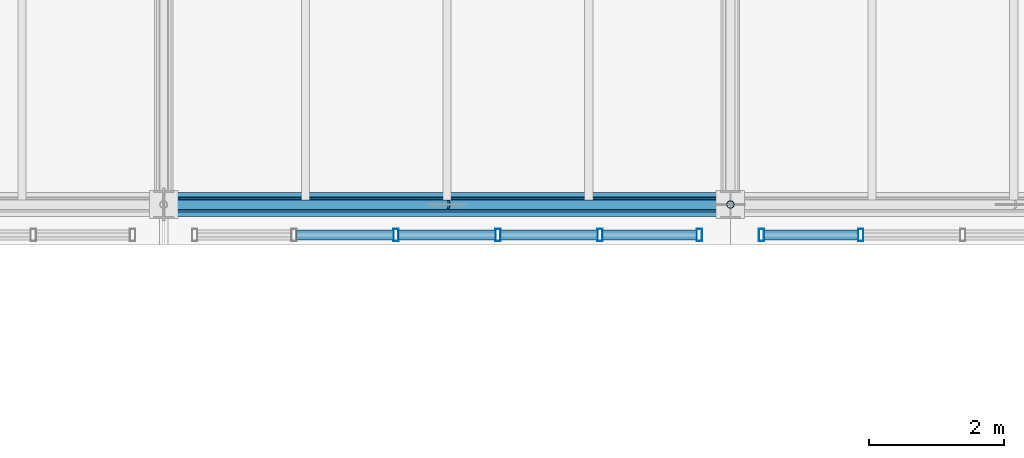
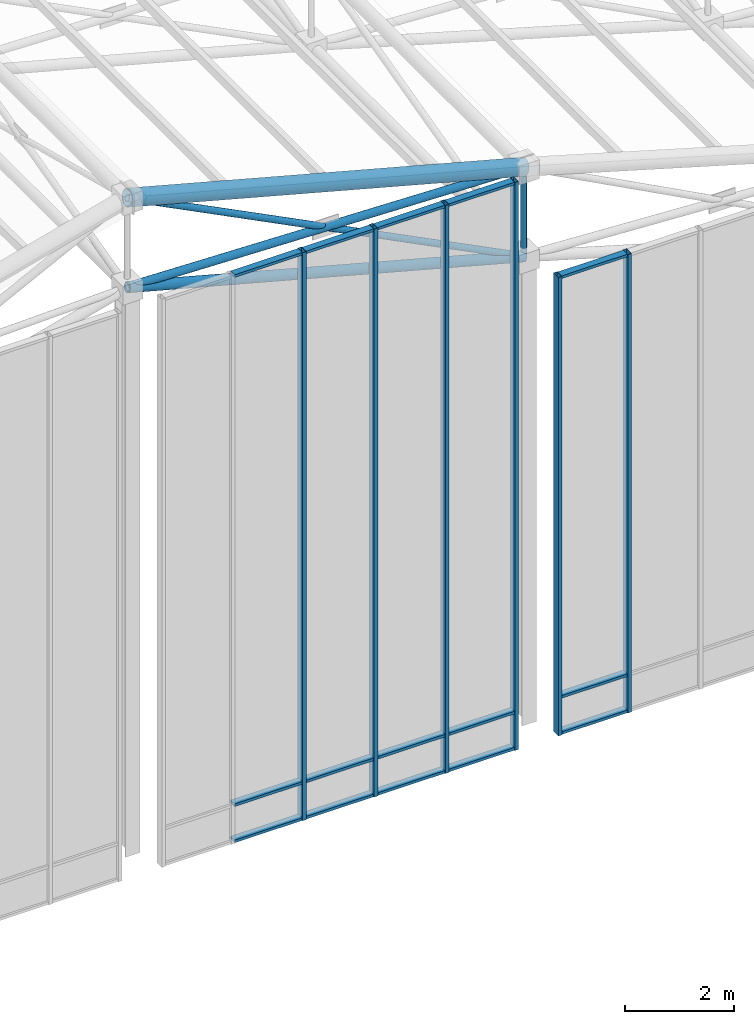
# One storey, part 21 of 144: 27 members, 2 elements without a shape of their own.
"""IFC4 building model written with IfcOpenShell, lengths in metres."""

from ifc_helpers import new_model, si_unit, direction, frame, origin, origin_2d, place, context, subcontext, project, spatial, hollow_rectangle, hollow_circle, extrude, material, layer, layer_set, material_profile, profile_set, type_object, element, aggregate, save


model = new_model("IFC4")

# Units and contexts
model_context = context("Model", 3, precision=1e-05, world=origin(), true_north=direction((0.0, 1.0)))
body_context = subcontext(model_context, "Body", "Model", "MODEL_VIEW")
ifc_project = project(units=[si_unit("LENGTHUNIT", "METRE"), si_unit("AREAUNIT", "SQUARE_METRE"), si_unit("VOLUMEUNIT", "CUBIC_METRE"), si_unit("PLANEANGLEUNIT", "RADIAN"), si_unit("MASSUNIT", "GRAM", prefix="KILO")], contexts=[model_context])

# Site, building, storey
site_placement = place(None, origin())
site = spatial("IfcSite", under=ifc_project, at=site_placement, CompositionType="ELEMENT")
building_placement = place(site_placement, origin())
building = spatial("IfcBuilding", under=site, at=building_placement, Name="Zayran Congress Hotel", CompositionType="ELEMENT")
storey_placement = place(building_placement, frame((0.0, 0.0, 19.199951171875)))
storey = spatial("IfcBuildingStorey", under=building, at=storey_placement, Name="L04", CompositionType="ELEMENT", Elevation=19.199951171875)

# Members
ifc_material_1 = material(Name="Steel S355", Category="steel")
ifc_material_profile_1 = material_profile(ifc_material_1, hollow_circle(Radius=0.177734375, WallThickness=0.01611328125, at=origin_2d()), Name="CHS 355.6x16")
ifc_profile_set_1 = profile_set([ifc_material_profile_1], Name="Steel S355")
member_type_1 = type_object("IfcMemberType", Name="TP-SF-TC1", PredefinedType="CHORD", material=ifc_profile_set_1)
member_1_placement = place(storey_placement, frame((50.39990234375, 68.199951171875, 14.60205078125), z_axis=(0.96594917914, 0.0, -0.258731875344), x_axis=(0.0, 1.0, 0.0)))
element("IfcMember", 1, at=member_1_placement, inside=storey, type_object=member_type_1, Name="Space Frame Top Chord X 272", PredefinedType="CHORD", context=body_context, shape_type="SweptSolid", body=[
    extrude(hollow_circle(Radius=0.177734375, WallThickness=0.01611328125, at=origin_2d()), origin(), (0.0, 0.0, 1.0), 8.6962890625),
])
ifc_material_profile_2 = material_profile(ifc_material_1, hollow_circle(Radius=0.109619140625, WallThickness=0.010009765625, at=origin_2d()), Name="CHS 219.1x10")
ifc_profile_set_2 = profile_set([ifc_material_profile_2], Name="Steel S355")
member_type_2 = type_object("IfcMemberType", Name="TP-SF-BC1", PredefinedType="CHORD", material=ifc_profile_set_2)
member_2_placement = place(storey_placement, frame((50.39990234375, 68.199951171875, 12.60009765625), z_axis=(0.96594917914, 0.0, -0.258731875344), x_axis=(0.0, 1.0, 0.0)))
element("IfcMember", 2, at=member_2_placement, inside=storey, type_object=member_type_2, Name="Space Frame Bottom Chord X 273", PredefinedType="CHORD", context=body_context, shape_type="SweptSolid", body=[
    extrude(hollow_circle(Radius=0.109619140625, WallThickness=0.010009765625, at=origin_2d()), origin(), (0.0, 0.0, 1.0), 8.6962890625),
])
ifc_material_profile_3 = material_profile(ifc_material_1, hollow_circle(Radius=0.084228515625, WallThickness=0.008056640625, at=origin_2d()), Name="CHS 168.3x8")
ifc_profile_set_3 = profile_set([ifc_material_profile_3], Name="Steel S355")
member_type_3 = type_object("IfcMemberType", Name="TP-SF-DG1", PredefinedType="BRACE", material=ifc_profile_set_3)
member_3_placement = place(storey_placement, frame((50.39990234375, 68.199951171875, 12.60009765625), z_axis=(0.99956430768, 0.0, -0.029516009434), x_axis=(0.0, 1.0, 0.0)))
element("IfcMember", 3, at=member_3_placement, inside=storey, type_object=member_type_3, Name="Space Frame Web Diagonal X 274", PredefinedType="BRACE", context=body_context, shape_type="SweptSolid", body=[
    extrude(hollow_circle(Radius=0.084228515625, WallThickness=0.008056640625, at=origin_2d()), origin(), (0.0, 0.0, 1.0), 8.40380859375),
])
ifc_material_profile_4 = material_profile(ifc_material_1, hollow_circle(Radius=0.06982421875, WallThickness=0.00634765625, at=origin_2d()), Name="CHS 139.7x6.3")
ifc_profile_set_4 = profile_set([ifc_material_profile_4], Name="Steel S355")
member_type_4 = type_object("IfcMemberType", Name="TP-SF-DG2", PredefinedType="BRACE", material=ifc_profile_set_4)
for number, where, z_axis, x_axis, name in (
    (4, (50.39990234375, 68.199951171875, 14.60205078125), (0.892220848392, 0.0, -0.451599333142), (0.0, 1.0, 0.0), "Space Frame Counter Diagonal X Upper 275"),
    (5, (54.61328125, 68.199951171875, 12.46923828125), (0.892220848392, 0.0, -0.451599333142), (0.0, 1.0, 0.0), "Space Frame Counter Diagonal X Lower 42"),
):
    element("IfcMember", number, at=place(storey_placement, frame(where, z_axis=z_axis, x_axis=x_axis)), inside=storey, type_object=member_type_4, Name=name, PredefinedType="BRACE", context=body_context, shape_type="SweptSolid", body=[
        extrude(hollow_circle(Radius=0.06982421875, WallThickness=0.00634765625, at=origin_2d()), origin(), (0.0, 0.0, 1.0), 4.692626953125),
    ])
ifc_material_profile_5 = material_profile(ifc_material_1, hollow_circle(Radius=0.05712890625, WallThickness=0.00634765625, at=origin_2d()), Name="CHS 114.3x6.3")
ifc_profile_set_5 = profile_set([ifc_material_profile_5], Name="Steel S355")
member_type_5 = type_object("IfcMemberType", Name="TP-SF-DG3", PredefinedType="BRACE", material=ifc_profile_set_5)
member_4_placement = place(storey_placement, frame((58.800048828125, 68.199951171875, 10.35009765625), z_axis=(0.0, 0.0, 1.0), x_axis=(0.0, 1.0, 0.0)))
element("IfcMember", 6, at=member_4_placement, inside=storey, type_object=member_type_5, Name="Space Frame Web Strut 338", PredefinedType="BRACE", context=body_context, shape_type="SweptSolid", body=[
    extrude(hollow_circle(Radius=0.05712890625, WallThickness=0.00634765625, at=origin_2d()), origin(), (0.0, 0.0, 1.0), 2.001953125),
])

# Curtain wall, members
ifc_material_2 = material(Name="Anodised aluminium and low-E insulated glass", Category="aluminium")
ifc_layer_1 = layer(ifc_material_2, 0.179931640625)
ifc_layer_set_1 = layer_set([ifc_layer_1], Name="Anodised aluminium and low-E insulated glass")
curtain_wall_type_1 = type_object("IfcCurtainWallType", Name="CW-V1CL-L04-CW-13-7560-12720", PredefinedType="USERDEFINED", material=ifc_layer_set_1)
curtain_wall_1_placement = place(storey_placement, origin())
curtain_wall_1 = element("IfcCurtainWall", 7, at=curtain_wall_1_placement, inside=storey, type_object=curtain_wall_type_1, Name="CW-V1CLS-5", ObjectType="CURTAIN WALL", PredefinedType="USERDEFINED")
ifc_material_3 = material(Name="Anodised aluminium framing", Category="aluminium")
ifc_material_profile_6 = material_profile(ifc_material_3, hollow_rectangle(XDim=0.080078125, YDim=0.179931640625, WallThickness=0.0048828125, at=origin_2d()), Name="RHS 180x80x5")
ifc_profile_set_6 = profile_set([ifc_material_profile_6], Name="Anodised aluminium framing")
member_type_6 = type_object("IfcMemberType", Name="TP-CWM-01", PredefinedType="MULLION", material=ifc_profile_set_6)
member_5_placement = place(storey_placement, frame((53.843994140625, 67.75, -0.219970703125), z_axis=(0.0, 0.0, 1.0), x_axis=(1.0, 0.0, 0.0)))
member_5 = element("IfcMember", 8, at=member_5_placement, type_object=member_type_6, Name="CW-V1CLS-5-M02", PredefinedType="MULLION", context=body_context, shape_type="SweptSolid", body=[
    extrude(hollow_rectangle(XDim=0.080078125, YDim=0.179931640625, WallThickness=0.0048828125, at=origin_2d()), origin(), (0.0, 0.0, 1.0), 12.719970703125),
])
member_6_placement = place(storey_placement, frame((55.35595703125, 67.75, -0.219970703125), z_axis=(0.0, 0.0, 1.0), x_axis=(1.0, 0.0, 0.0)))
member_6 = element("IfcMember", 9, at=member_6_placement, type_object=member_type_6, Name="CW-V1CLS-5-M03", PredefinedType="MULLION", context=body_context, shape_type="SweptSolid", body=[
    extrude(hollow_rectangle(XDim=0.080078125, YDim=0.179931640625, WallThickness=0.0048828125, at=origin_2d()), origin(), (0.0, 0.0, 1.0), 12.719970703125),
])
member_7_placement = place(storey_placement, frame((56.867919921875, 67.75, -0.219970703125), z_axis=(0.0, 0.0, 1.0), x_axis=(1.0, 0.0, 0.0)))
member_7 = element("IfcMember", 10, at=member_7_placement, type_object=member_type_6, Name="CW-V1CLS-5-M04", PredefinedType="MULLION", context=body_context, shape_type="SweptSolid", body=[
    extrude(hollow_rectangle(XDim=0.080078125, YDim=0.179931640625, WallThickness=0.0048828125, at=origin_2d()), origin(), (0.0, 0.0, 1.0), 12.719970703125),
])
member_8_placement = place(storey_placement, frame((58.340087890625, 67.75, -0.219970703125), z_axis=(0.0, 0.0, 1.0), x_axis=(1.0, 0.0, 0.0)))
member_8 = element("IfcMember", 11, at=member_8_placement, type_object=member_type_6, Name="CW-V1CLS-5-M05", PredefinedType="MULLION", context=body_context, shape_type="SweptSolid", body=[
    extrude(hollow_rectangle(XDim=0.080078125, YDim=0.179931640625, WallThickness=0.0048828125, at=origin_2d()), origin(), (0.0, 0.0, 1.0), 12.719970703125),
])

ifc_layer_2 = layer(ifc_material_2, 0.179931640625)
ifc_layer_set_2 = layer_set([ifc_layer_2], Name="Anodised aluminium and low-E insulated glass")
curtain_wall_type_2 = type_object("IfcCurtainWallType", Name="CW-V1CL-L04-CW-11-7560-10270", PredefinedType="USERDEFINED", material=ifc_layer_set_2)
curtain_wall_2_placement = place(storey_placement, origin())
curtain_wall_2 = element("IfcCurtainWall", 12, at=curtain_wall_2_placement, inside=storey, type_object=curtain_wall_type_2, Name="CW-V1CLS-6", ObjectType="CURTAIN WALL", PredefinedType="USERDEFINED")
member_9_placement = place(storey_placement, frame((59.260009765625, 67.75, -0.219970703125), z_axis=(0.0, 0.0, 1.0), x_axis=(1.0, 0.0, 0.0)))
member_9 = element("IfcMember", 13, at=member_9_placement, type_object=member_type_6, Name="CW-V1CLS-6-M00", PredefinedType="MULLION", context=body_context, shape_type="SweptSolid", body=[
    extrude(hollow_rectangle(XDim=0.080078125, YDim=0.179931640625, WallThickness=0.0048828125, at=origin_2d()), origin(), (0.0, 0.0, 1.0), 10.27001953125),
])
member_10_placement = place(storey_placement, frame((60.73193359375, 67.75, -0.219970703125), z_axis=(0.0, 0.0, 1.0), x_axis=(1.0, 0.0, 0.0)))
member_10 = element("IfcMember", 14, at=member_10_placement, type_object=member_type_6, Name="CW-V1CLS-6-M01", PredefinedType="MULLION", context=body_context, shape_type="SweptSolid", body=[
    extrude(hollow_rectangle(XDim=0.080078125, YDim=0.179931640625, WallThickness=0.0048828125, at=origin_2d()), origin(), (0.0, 0.0, 1.0), 10.27001953125),
])

# Member
ifc_material_profile_7 = material_profile(ifc_material_3, hollow_rectangle(XDim=0.06005859375, YDim=0.14990234375, WallThickness=0.00390625, at=origin_2d()), Name="RHS 150x60x4")
ifc_profile_set_7 = profile_set([ifc_material_profile_7], Name="Anodised aluminium framing")
member_type_7 = type_object("IfcMemberType", Name="TP-CWT-01", PredefinedType="USERDEFINED", material=ifc_profile_set_7)
member_11_placement = place(storey_placement, frame((52.3720703125, 67.75, -0.18994140625), z_axis=(1.0, 0.0, 0.0), x_axis=(0.0, 0.0, 1.0)))
member_11 = element("IfcMember", 15, at=member_11_placement, type_object=member_type_7, Name="CW-V1CLS-5-T01-0", ObjectType="TRANSOM", PredefinedType="USERDEFINED", context=body_context, shape_type="SweptSolid", body=[
    extrude(hollow_rectangle(XDim=0.06005859375, YDim=0.14990234375, WallThickness=0.00390625, at=origin_2d()), origin(), (0.0, 0.0, 1.0), 1.431884765625),
])

member_12_placement = place(storey_placement, frame((52.3720703125, 67.75, 0.6201171875), z_axis=(1.0, 0.0, 0.0), x_axis=(0.0, 0.0, 1.0)))
member_12 = element("IfcMember", 16, at=member_12_placement, type_object=member_type_7, Name="CW-V1CLS-5-T01-1", ObjectType="TRANSOM", PredefinedType="USERDEFINED", context=body_context, shape_type="SweptSolid", body=[
    extrude(hollow_rectangle(XDim=0.06005859375, YDim=0.14990234375, WallThickness=0.00390625, at=origin_2d()), origin(), (0.0, 0.0, 1.0), 1.431884765625),
])

member_13_placement = place(storey_placement, frame((52.3720703125, 67.75, 12.469970703125), z_axis=(1.0, 0.0, 0.0), x_axis=(0.0, 0.0, 1.0)))
member_13 = element("IfcMember", 17, at=member_13_placement, type_object=member_type_7, Name="CW-V1CLS-5-T01-2", ObjectType="TRANSOM", PredefinedType="USERDEFINED", context=body_context, shape_type="SweptSolid", body=[
    extrude(hollow_rectangle(XDim=0.06005859375, YDim=0.14990234375, WallThickness=0.00390625, at=origin_2d()), origin(), (0.0, 0.0, 1.0), 1.431884765625),
])

member_14_placement = place(storey_placement, frame((53.884033203125, 67.75, -0.18994140625), z_axis=(1.0, 0.0, 0.0), x_axis=(0.0, 0.0, 1.0)))
member_14 = element("IfcMember", 18, at=member_14_placement, type_object=member_type_7, Name="CW-V1CLS-5-T02-0", ObjectType="TRANSOM", PredefinedType="USERDEFINED", context=body_context, shape_type="SweptSolid", body=[
    extrude(hollow_rectangle(XDim=0.06005859375, YDim=0.14990234375, WallThickness=0.00390625, at=origin_2d()), origin(), (0.0, 0.0, 1.0), 1.431884765625),
])

member_15_placement = place(storey_placement, frame((53.884033203125, 67.75, 0.6201171875), z_axis=(1.0, 0.0, 0.0), x_axis=(0.0, 0.0, 1.0)))
member_15 = element("IfcMember", 19, at=member_15_placement, type_object=member_type_7, Name="CW-V1CLS-5-T02-1", ObjectType="TRANSOM", PredefinedType="USERDEFINED", context=body_context, shape_type="SweptSolid", body=[
    extrude(hollow_rectangle(XDim=0.06005859375, YDim=0.14990234375, WallThickness=0.00390625, at=origin_2d()), origin(), (0.0, 0.0, 1.0), 1.431884765625),
])

member_16_placement = place(storey_placement, frame((53.884033203125, 67.75, 12.469970703125), z_axis=(1.0, 0.0, 0.0), x_axis=(0.0, 0.0, 1.0)))
member_16 = element("IfcMember", 20, at=member_16_placement, type_object=member_type_7, Name="CW-V1CLS-5-T02-2", ObjectType="TRANSOM", PredefinedType="USERDEFINED", context=body_context, shape_type="SweptSolid", body=[
    extrude(hollow_rectangle(XDim=0.06005859375, YDim=0.14990234375, WallThickness=0.00390625, at=origin_2d()), origin(), (0.0, 0.0, 1.0), 1.431884765625),
])

member_17_placement = place(storey_placement, frame((55.39599609375, 67.75, -0.18994140625), z_axis=(1.0, 0.0, 0.0), x_axis=(0.0, 0.0, 1.0)))
member_17 = element("IfcMember", 21, at=member_17_placement, type_object=member_type_7, Name="CW-V1CLS-5-T03-0", ObjectType="TRANSOM", PredefinedType="USERDEFINED", context=body_context, shape_type="SweptSolid", body=[
    extrude(hollow_rectangle(XDim=0.06005859375, YDim=0.14990234375, WallThickness=0.00390625, at=origin_2d()), origin(), (0.0, 0.0, 1.0), 1.431884765625),
])

member_18_placement = place(storey_placement, frame((55.39599609375, 67.75, 0.6201171875), z_axis=(1.0, 0.0, 0.0), x_axis=(0.0, 0.0, 1.0)))
member_18 = element("IfcMember", 22, at=member_18_placement, type_object=member_type_7, Name="CW-V1CLS-5-T03-1", ObjectType="TRANSOM", PredefinedType="USERDEFINED", context=body_context, shape_type="SweptSolid", body=[
    extrude(hollow_rectangle(XDim=0.06005859375, YDim=0.14990234375, WallThickness=0.00390625, at=origin_2d()), origin(), (0.0, 0.0, 1.0), 1.431884765625),
])

member_19_placement = place(storey_placement, frame((55.39599609375, 67.75, 12.469970703125), z_axis=(1.0, 0.0, 0.0), x_axis=(0.0, 0.0, 1.0)))
member_19 = element("IfcMember", 23, at=member_19_placement, type_object=member_type_7, Name="CW-V1CLS-5-T03-2", ObjectType="TRANSOM", PredefinedType="USERDEFINED", context=body_context, shape_type="SweptSolid", body=[
    extrude(hollow_rectangle(XDim=0.06005859375, YDim=0.14990234375, WallThickness=0.00390625, at=origin_2d()), origin(), (0.0, 0.0, 1.0), 1.431884765625),
])

member_20_placement = place(storey_placement, frame((56.907958984375, 67.75, -0.18994140625), z_axis=(1.0, 0.0, 0.0), x_axis=(0.0, 0.0, 1.0)))
member_20 = element("IfcMember", 24, at=member_20_placement, type_object=member_type_7, Name="CW-V1CLS-5-T04-0", ObjectType="TRANSOM", PredefinedType="USERDEFINED", context=body_context, shape_type="SweptSolid", body=[
    extrude(hollow_rectangle(XDim=0.06005859375, YDim=0.14990234375, WallThickness=0.00390625, at=origin_2d()), origin(), (0.0, 0.0, 1.0), 1.39208984375),
])

member_21_placement = place(storey_placement, frame((56.907958984375, 67.75, 0.6201171875), z_axis=(1.0, 0.0, 0.0), x_axis=(0.0, 0.0, 1.0)))
member_21 = element("IfcMember", 25, at=member_21_placement, type_object=member_type_7, Name="CW-V1CLS-5-T04-1", ObjectType="TRANSOM", PredefinedType="USERDEFINED", context=body_context, shape_type="SweptSolid", body=[
    extrude(hollow_rectangle(XDim=0.06005859375, YDim=0.14990234375, WallThickness=0.00390625, at=origin_2d()), origin(), (0.0, 0.0, 1.0), 1.39208984375),
])

member_22_placement = place(storey_placement, frame((56.907958984375, 67.75, 12.469970703125), z_axis=(1.0, 0.0, 0.0), x_axis=(0.0, 0.0, 1.0)))
member_22 = element("IfcMember", 26, at=member_22_placement, type_object=member_type_7, Name="CW-V1CLS-5-T04-2", ObjectType="TRANSOM", PredefinedType="USERDEFINED", context=body_context, shape_type="SweptSolid", body=[
    extrude(hollow_rectangle(XDim=0.06005859375, YDim=0.14990234375, WallThickness=0.00390625, at=origin_2d()), origin(), (0.0, 0.0, 1.0), 1.39208984375),
])

aggregate(curtain_wall_1, [member_5, member_6, member_7, member_8, member_11, member_12, member_13, member_14, member_15, member_16, member_17, member_18, member_19, member_20, member_21, member_22])

member_23_placement = place(storey_placement, frame((59.300048828125, 67.75, -0.18994140625), z_axis=(1.0, 0.0, 0.0), x_axis=(0.0, 0.0, 1.0)))
member_23 = element("IfcMember", 27, at=member_23_placement, type_object=member_type_7, Name="CW-V1CLS-6-T00-0", ObjectType="TRANSOM", PredefinedType="USERDEFINED", context=body_context, shape_type="SweptSolid", body=[
    extrude(hollow_rectangle(XDim=0.06005859375, YDim=0.14990234375, WallThickness=0.00390625, at=origin_2d()), origin(), (0.0, 0.0, 1.0), 1.391845703125),
])

member_24_placement = place(storey_placement, frame((59.300048828125, 67.75, 0.6201171875), z_axis=(1.0, 0.0, 0.0), x_axis=(0.0, 0.0, 1.0)))
member_24 = element("IfcMember", 28, at=member_24_placement, type_object=member_type_7, Name="CW-V1CLS-6-T00-1", ObjectType="TRANSOM", PredefinedType="USERDEFINED", context=body_context, shape_type="SweptSolid", body=[
    extrude(hollow_rectangle(XDim=0.06005859375, YDim=0.14990234375, WallThickness=0.00390625, at=origin_2d()), origin(), (0.0, 0.0, 1.0), 1.391845703125),
])

member_25_placement = place(storey_placement, frame((59.300048828125, 67.75, 10.02001953125), z_axis=(1.0, 0.0, 0.0), x_axis=(0.0, 0.0, 1.0)))
member_25 = element("IfcMember", 29, at=member_25_placement, type_object=member_type_7, Name="CW-V1CLS-6-T00-2", ObjectType="TRANSOM", PredefinedType="USERDEFINED", context=body_context, shape_type="SweptSolid", body=[
    extrude(hollow_rectangle(XDim=0.06005859375, YDim=0.14990234375, WallThickness=0.00390625, at=origin_2d()), origin(), (0.0, 0.0, 1.0), 1.391845703125),
])

aggregate(curtain_wall_2, [member_9, member_10, member_23, member_24, member_25])

save(model, "model.ifc")
